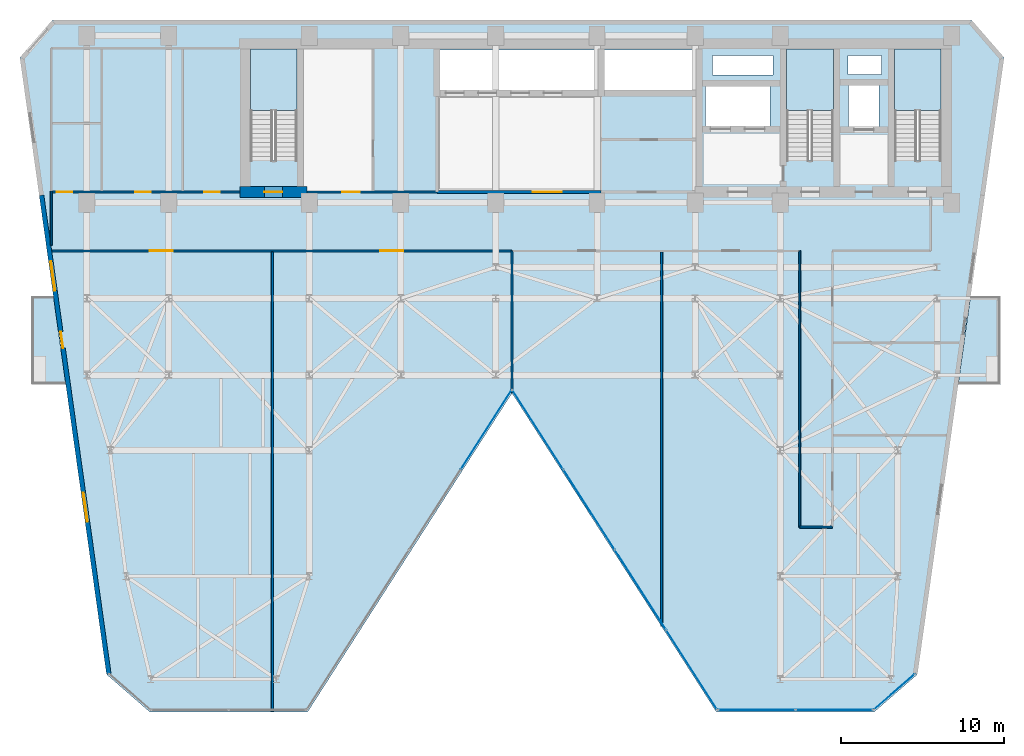
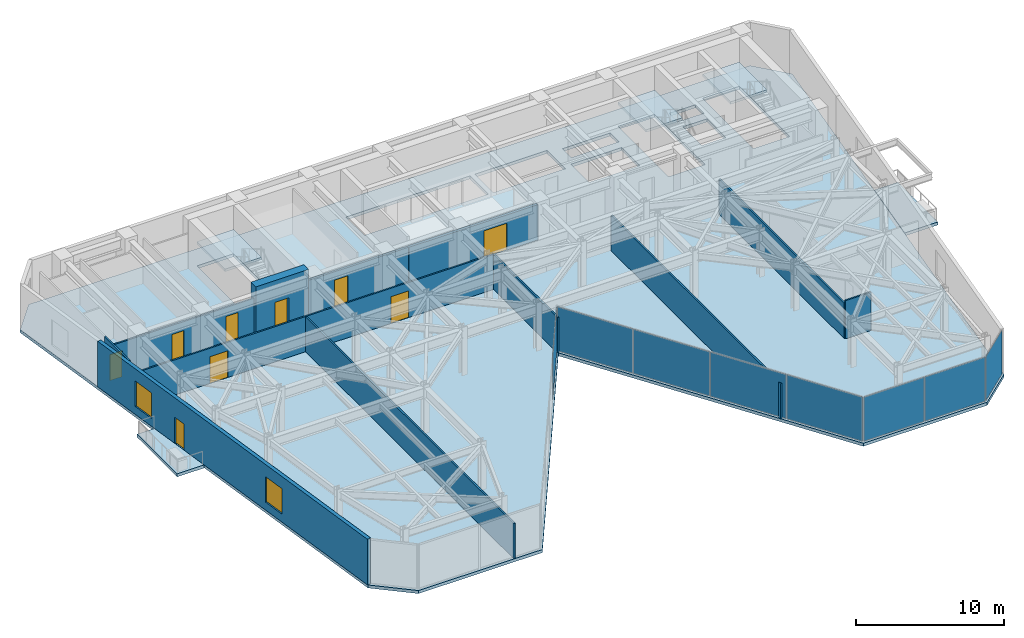
# One storey, part 15 of 20: 12 walls, 9 doors, 8 plates, 6 slabs, 2 windows, 11 openings, 7 elements without a shape of their own.
"""IFC4 building model written with IfcOpenShell, lengths in metres."""

from ifc_helpers import new_model, si_unit, direction, frame, frame_2d, origin, origin_2d, place, context, subcontext, project, spatial, polyline, rectangle, outline, extrude, material, layer, layer_set, type_object, element, fill, aggregate, save


model = new_model("IFC4")

# Units and contexts
model_context = context("Model", 3, precision=1e-05, world=origin(), true_north=direction((0.0, 1.0)))
body_context = subcontext(model_context, "Body", "Model", "MODEL_VIEW")
ifc_project = project(units=[si_unit("LENGTHUNIT", "METRE"), si_unit("AREAUNIT", "SQUARE_METRE"), si_unit("VOLUMEUNIT", "CUBIC_METRE"), si_unit("PLANEANGLEUNIT", "RADIAN"), si_unit("MASSUNIT", "GRAM", prefix="KILO")], contexts=[model_context])

# Site, building, storey
site_placement = place(None, origin())
site = spatial("IfcSite", under=ifc_project, at=site_placement, CompositionType="ELEMENT")
building_placement = place(site_placement, origin())
building = spatial("IfcBuilding", under=site, at=building_placement, Name="Kravanh Interchange Tower", CompositionType="ELEMENT")
storey_placement = place(building_placement, frame((0.0, 0.0, 104.0)))
storey = spatial("IfcBuildingStorey", under=building, at=storey_placement, Name="L24", CompositionType="ELEMENT", Elevation=104.0)

# Slab
ifc_material_1 = material(Name="Concrete C50/60", Category="concrete")
ifc_layer_1 = layer(ifc_material_1, 0.25)
ifc_layer_set_1 = layer_set([ifc_layer_1], Name="Composite Floor Slab Concrete C50/60 250mm")
slab_type_1 = type_object("IfcSlabType", Name="Composite Floor Slab Concrete C50/60 250mm", PredefinedType="FLOOR", material=ifc_layer_set_1)
slab_1_placement = place(storey_placement, frame((0.0, 0.0, -0.25)))
element("IfcSlab", 1, at=slab_1_placement, inside=storey, type_object=slab_type_1, Name="L24 Structural Floor Slab", PredefinedType="FLOOR", context=body_context, shape_type="SweptSolid", body=[
    extrude(outline(polyline([(14.82470703125, 8.4775390625), (17.44482421875, 6.199951171875), (27.10009765625, 6.199951171875), (39.60009765625, 25.699951171875), (52.10009765625, 6.199951171875), (61.755126953125, 6.199951171875), (64.375244140625, 8.4775390625), (69.679931640625, 46.222412109375), (67.699951171875, 48.5), (11.5, 48.5), (9.52001953125, 46.222412109375), (14.82470703125, 8.4775390625)]), holes=[polyline([(65.85009765625, 39.925048828125), (65.85009765625, 46.75), (63.0, 46.75), (63.0, 39.925048828125), (65.85009765625, 39.925048828125)]), polyline([(59.25, 39.925048828125), (59.25, 46.75), (56.39990234375, 46.75), (56.39990234375, 39.925048828125), (59.25, 39.925048828125)]), polyline([(26.449951171875, 39.925048828125), (26.449951171875, 46.75), (23.60009765625, 46.75), (23.60009765625, 39.925048828125), (26.449951171875, 39.925048828125)]), polyline([(35.179931640625, 44.219970703125), (44.840087890625, 44.219970703125), (44.840087890625, 46.699951171875), (35.179931640625, 46.699951171875), (35.179931640625, 44.219970703125)]), polyline([(45.239990234375, 44.219970703125), (50.840087890625, 44.219970703125), (50.840087890625, 46.699951171875), (45.239990234375, 46.699951171875), (45.239990234375, 44.219970703125)]), polyline([(51.419921875, 42.02001953125), (55.3798828125, 42.02001953125), (55.3798828125, 44.47998046875), (51.419921875, 44.47998046875), (51.419921875, 42.02001953125)]), polyline([(60.179931640625, 41.97998046875), (62.06005859375, 41.97998046875), (62.06005859375, 44.52001953125), (60.179931640625, 44.52001953125), (60.179931640625, 41.97998046875)]), polyline([(60.14990234375, 45.199951171875), (62.199951171875, 45.199951171875), (62.199951171875, 46.35009765625), (60.14990234375, 46.35009765625), (60.14990234375, 45.199951171875)]), polyline([(51.85009765625, 45.14990234375), (55.550048828125, 45.14990234375), (55.550048828125, 46.35009765625), (51.85009765625, 46.35009765625), (51.85009765625, 45.14990234375)])]), origin(), (0.0, 0.0, 1.0), 0.25),
])

# Stair, slab
ifc_material_2 = material(Name="Concrete C50/60", Category="concrete")
stair_type = type_object("IfcStairType", Name="Core Fire Exit Dogleg Stair Concrete C50/60", PredefinedType="HALF_TURN_STAIR", material=ifc_material_2)
stair_1_placement = place(storey_placement, origin())
stair_1 = element("IfcStair", 2, at=stair_1_placement, inside=storey, type_object=stair_type, Name="L24 Exit Stair ST1", PredefinedType="HALF_TURN_STAIR")
ifc_material_3 = material(Name="Concrete C50/60", Category="concrete")
ifc_layer_2 = layer(ifc_material_3, 0.199951171875)
ifc_layer_set_2 = layer_set([ifc_layer_2], Name="Concrete C50/60 Stair Half-Landing Slab 200mm")
slab_type_2 = type_object("IfcSlabType", Name="Concrete C50/60 Stair Half-Landing Slab 200mm", PredefinedType="LANDING", material=ifc_layer_set_2)
slab_2_placement = place(storey_placement, frame((0.0, 0.0, 1.800048828125)))
slab_2 = element("IfcSlab", 3, at=slab_2_placement, type_object=slab_type_2, Name="ST1 landing 1", PredefinedType="LANDING", context=body_context, shape_type="SweptSolid", body=[
    extrude(outline(polyline([(65.85009765625, 42.97998046875), (65.85009765625, 46.75), (63.0, 46.75), (63.0, 42.97998046875), (65.85009765625, 42.97998046875)])), origin(), (0.0, 0.0, 1.0), 0.199951171875),
])
aggregate(stair_1, [slab_2])

stair_2_placement = place(storey_placement, origin())
stair_2 = element("IfcStair", 4, at=stair_2_placement, inside=storey, type_object=stair_type, Name="L24 Exit Stair ST2", PredefinedType="HALF_TURN_STAIR")
slab_3_placement = place(storey_placement, frame((0.0, 0.0, 1.800048828125)))
slab_3 = element("IfcSlab", 5, at=slab_3_placement, type_object=slab_type_2, Name="ST2 landing 1", PredefinedType="LANDING", context=body_context, shape_type="SweptSolid", body=[
    extrude(outline(polyline([(59.25, 42.97998046875), (59.25, 46.75), (56.39990234375, 46.75), (56.39990234375, 42.97998046875), (59.25, 42.97998046875)])), origin(), (0.0, 0.0, 1.0), 0.199951171875),
])
aggregate(stair_2, [slab_3])

stair_3_placement = place(storey_placement, origin())
stair_3 = element("IfcStair", 6, at=stair_3_placement, inside=storey, type_object=stair_type, Name="L24 Exit Stair ST3", PredefinedType="HALF_TURN_STAIR")
slab_4_placement = place(storey_placement, frame((0.0, 0.0, 1.800048828125)))
slab_4 = element("IfcSlab", 7, at=slab_4_placement, type_object=slab_type_2, Name="ST3 landing 1", PredefinedType="LANDING", context=body_context, shape_type="SweptSolid", body=[
    extrude(outline(polyline([(26.449951171875, 42.97998046875), (26.449951171875, 46.75), (23.60009765625, 46.75), (23.60009765625, 42.97998046875), (26.449951171875, 42.97998046875)])), origin(), (0.0, 0.0, 1.0), 0.199951171875),
])
aggregate(stair_3, [slab_4])

# Slabs
ifc_material_4 = material(Name="Concrete C50/60", Category="concrete")
ifc_layer_3 = layer(ifc_material_4, 0.199951171875)
ifc_layer_set_3 = layer_set([ifc_layer_3], Name="Planted Tree Balcony Slab Concrete C50/60 200mm")
slab_type_3 = type_object("IfcSlabType", Name="Planted Tree Balcony Slab Concrete C50/60 200mm", PredefinedType="USERDEFINED", material=ifc_layer_set_3)
slab_5_placement = place(storey_placement, frame((0.0, 0.0, -0.25)))
element("IfcSlab", 8, at=slab_5_placement, inside=storey, type_object=slab_type_3, Name="L24 East Tree Planter Balcony Slab", ObjectType="BALCONY", PredefinedType="USERDEFINED", context=body_context, shape_type="SweptSolid", body=[
    extrude(outline(polyline([(69.47900390625, 31.6298828125), (69.47900390625, 26.22998046875), (66.88525390625, 26.22998046875), (67.644287109375, 31.6298828125), (69.47900390625, 31.6298828125)])), origin(), (0.0, 0.0, 1.0), 0.25),
])
slab_6_placement = place(storey_placement, frame((0.0, 0.0, -0.25)))
element("IfcSlab", 9, at=slab_6_placement, inside=storey, type_object=slab_type_3, Name="L24 West Tree Planter Balcony Slab", ObjectType="BALCONY", PredefinedType="USERDEFINED", context=body_context, shape_type="SweptSolid", body=[
    extrude(outline(polyline([(10.2099609375, 26.22998046875), (10.2099609375, 31.6298828125), (11.555908203125, 31.6298828125), (12.314697265625, 26.22998046875), (10.2099609375, 26.22998046875)])), origin(), (0.0, 0.0, 1.0), 0.25),
])

# Curtain wall, plate
ifc_material_5 = material(Name="Anodised Bronze Aluminium", Category="aluminium")
ifc_layer_4 = layer(ifc_material_5, 0.179931640625)
ifc_layer_set_4 = layer_set([ifc_layer_4], Name="Unitised Curtain Wall System CW-Z2 Mid Office")
curtain_wall_type = type_object("IfcCurtainWallType", Name="Unitised Curtain Wall System CW-Z2 Mid Office", PredefinedType="NOTDEFINED", material=ifc_layer_set_4)
curtain_wall_1_placement = place(storey_placement, origin())
curtain_wall_1 = element("IfcCurtainWall", 10, at=curtain_wall_1_placement, inside=storey, type_object=curtain_wall_type, Name="L24 Unitised Curtain Wall CW-L24-01", PredefinedType="NOTDEFINED")
ifc_material_6 = material(Name="Low-E Laminated Architectural Glass", Category="glass")
ifc_layer_5 = layer(ifc_material_6, 0.02587890625)
ifc_layer_set_5 = layer_set([ifc_layer_5], Name="Solar-Control Double Glazing 26mm")
plate_type = type_object("IfcPlateType", Name="Solar-Control Double Glazing 26mm", PredefinedType="CURTAIN_PANEL", material=ifc_layer_set_5)
plate_1_placement = place(storey_placement, frame((62.986328125, 7.429443359375, 0.06005859375), z_axis=(0.0, 0.0, 1.0), x_axis=(-0.754719458103, -0.656047665617, 0.0)))
plate_1 = element("IfcPlate", 11, at=plate_1_placement, type_object=plate_type, Name="CW-Z2 panel 1.1", PredefinedType="CURTAIN_PANEL", context=body_context, shape_type="SweptSolid", body=[
    extrude(rectangle(XDim=3.261962890625, YDim=0.02587890625, at=origin_2d()), origin(), (0.0, 0.0, 1.0), 3.6298828125),
])
aggregate(curtain_wall_1, [plate_1])

# Curtain wall, plates
curtain_wall_2_placement = place(storey_placement, origin())
curtain_wall_2 = element("IfcCurtainWall", 12, at=curtain_wall_2_placement, inside=storey, type_object=curtain_wall_type, Name="L24 Unitised Curtain Wall CW-L24-02", PredefinedType="NOTDEFINED")
plate_2_placement = place(storey_placement, frame((59.30908203125, 6.320068359375, 0.06005859375), z_axis=(0.0, 0.0, 1.0), x_axis=(-1.0, 0.0, 0.0)))
plate_2 = element("IfcPlate", 13, at=plate_2_placement, type_object=plate_type, Name="CW-Z2 panel 1.1", PredefinedType="CURTAIN_PANEL", context=body_context, shape_type="SweptSolid", body=[
    extrude(rectangle(XDim=4.682373046875, YDim=0.02587890625, at=origin_2d()), origin(), (0.0, 0.0, 1.0), 3.6298828125),
])
plate_3_placement = place(storey_placement, frame((54.566650390625, 6.320068359375, 0.06005859375), z_axis=(0.0, 0.0, 1.0), x_axis=(-1.0, 0.0, 0.0)))
plate_3 = element("IfcPlate", 14, at=plate_3_placement, type_object=plate_type, Name="CW-Z2 panel 2.1", PredefinedType="CURTAIN_PANEL", context=body_context, shape_type="SweptSolid", body=[
    extrude(rectangle(XDim=4.682373046875, YDim=0.02587890625, at=origin_2d()), origin(), (0.0, 0.0, 1.0), 3.6298828125),
])
aggregate(curtain_wall_2, [plate_2, plate_3])

curtain_wall_3_placement = place(storey_placement, origin())
curtain_wall_3 = element("IfcCurtainWall", 15, at=curtain_wall_3_placement, inside=storey, type_object=curtain_wall_type, Name="L24 Unitised Curtain Wall CW-L24-03", PredefinedType="NOTDEFINED")
plate_4_placement = place(storey_placement, frame((50.5869140625, 8.782958984375, 0.06005859375), z_axis=(0.0, 0.0, 1.0), x_axis=(-0.539664865919, 0.841879939476, 0.0)))
plate_4 = element("IfcPlate", 16, at=plate_4_placement, type_object=plate_type, Name="CW-Z2 panel 1.1", PredefinedType="CURTAIN_PANEL", context=body_context, shape_type="SweptSolid", body=[
    extrude(rectangle(XDim=5.73095703125, YDim=0.02587890625, at=origin_2d()), origin(), (0.0, 0.0, 1.0), 3.6298828125),
])
plate_5_placement = place(storey_placement, frame((47.45361328125, 13.6708984375, 0.06005859375), z_axis=(0.0, 0.0, 1.0), x_axis=(-0.539664865919, 0.841879939476, 0.0)))
plate_5 = element("IfcPlate", 17, at=plate_5_placement, type_object=plate_type, Name="CW-Z2 panel 2.1", PredefinedType="CURTAIN_PANEL", context=body_context, shape_type="SweptSolid", body=[
    extrude(rectangle(XDim=5.760986328125, YDim=0.02587890625, at=origin_2d()), origin(), (0.0, 0.0, 1.0), 3.6298828125),
])
plate_6_placement = place(storey_placement, frame((44.31201171875, 18.571533203125, 0.06005859375), z_axis=(0.0, 0.0, 1.0), x_axis=(-0.539664865919, 0.841879939476, 0.0)))
plate_6 = element("IfcPlate", 18, at=plate_6_placement, type_object=plate_type, Name="CW-Z2 panel 3.1", PredefinedType="CURTAIN_PANEL", context=body_context, shape_type="SweptSolid", body=[
    extrude(rectangle(XDim=5.760986328125, YDim=0.02587890625, at=origin_2d()), origin(), (0.0, 0.0, 1.0), 3.6298828125),
])
plate_7_placement = place(storey_placement, frame((41.1787109375, 23.45947265625, 0.06005859375), z_axis=(0.0, 0.0, 1.0), x_axis=(-0.539664865919, 0.841879939476, 0.0)))
plate_7 = element("IfcPlate", 19, at=plate_7_placement, type_object=plate_type, Name="CW-Z2 panel 4.1", PredefinedType="CURTAIN_PANEL", context=body_context, shape_type="SweptSolid", body=[
    extrude(rectangle(XDim=5.73095703125, YDim=0.02587890625, at=origin_2d()), origin(), (0.0, 0.0, 1.0), 3.6298828125),
])
aggregate(curtain_wall_3, [plate_4, plate_5, plate_6, plate_7])

# Curtain wall, plate
curtain_wall_4_placement = place(storey_placement, origin())
curtain_wall_4 = element("IfcCurtainWall", 20, at=curtain_wall_4_placement, inside=storey, type_object=curtain_wall_type, Name="L24 Unitised Curtain Wall CW-L24-04", PredefinedType="NOTDEFINED")
plate_8_placement = place(storey_placement, frame((38.021240234375, 23.45947265625, 0.06005859375), z_axis=(0.0, 0.0, 1.0), x_axis=(-0.539664865919, -0.841879939476, 0.0)))
plate_8 = element("IfcPlate", 21, at=plate_8_placement, type_object=plate_type, Name="CW-Z2 panel 1.1", PredefinedType="CURTAIN_PANEL", context=body_context, shape_type="SweptSolid", body=[
    extrude(rectangle(XDim=5.73095703125, YDim=0.02587890625, at=origin_2d()), origin(), (0.0, 0.0, 1.0), 3.6298828125),
])
aggregate(curtain_wall_4, [plate_8])

# Wall, openings, doors
ifc_material_7 = material(Name="Double Acoustic Gypsum Board and Mineral Wool")
ifc_layer_6 = layer(ifc_material_7, 0.1201171875)
ifc_layer_set_6 = layer_set([ifc_layer_6], Name="Acoustic Office Drywall Partition 120mm")
wall_type_1 = type_object("IfcWallType", Name="Acoustic Office Drywall Partition 120mm", PredefinedType="PARTITIONING", material=ifc_layer_set_6)
wall_1_placement = place(storey_placement, frame((11.419921875, 38.0, 0.0), z_axis=(0.0, 0.0, 1.0), x_axis=(1.0, 0.0, 0.0)))
wall_1 = element("IfcWall", 22, at=wall_1_placement, inside=storey, type_object=wall_type_1, Name="L24 Restroom Corridor Wall 7", PredefinedType="PARTITIONING", context=body_context, shape_type="SweptSolid", body=[
    extrude(rectangle(XDim=11.530029296875, YDim=0.1201171875, at=frame_2d((5.76513671875, 0.0))), origin(), (0.0, 0.0, 1.0), 2.89404296875),
])
opening_1_placement = place(wall_1_placement, frame((0.3427734375, 0.0, 0.0)))
opening_1 = element("IfcOpeningElement", 23, at=opening_1_placement, cuts=wall_1, Name="Opening D-95", PredefinedType="OPENING", context=body_context, shape_type="SweptSolid", body=[
    extrude(rectangle(XDim=0.949951171875, YDim=2.14990234375, at=frame_2d((0.47509765625, 1.074951171875))), frame((0.0, 0.070068359375, 0.0), z_axis=(0.0, -1.0, 0.0), x_axis=(1.0, 0.0, 0.0)), (0.0, 0.0, 1.0), 0.14013671875),
])
opening_2_placement = place(wall_1_placement, frame((5.130126953125, 0.0, 0.0)))
opening_2 = element("IfcOpeningElement", 24, at=opening_2_placement, cuts=wall_1, Name="Opening D-95", PredefinedType="OPENING", context=body_context, shape_type="SweptSolid", body=[
    extrude(rectangle(XDim=0.949951171875, YDim=2.14990234375, at=frame_2d((0.47509765625, 1.074951171875))), frame((0.0, 0.070068359375, 0.0), z_axis=(0.0, -1.0, 0.0), x_axis=(1.0, 0.0, 0.0)), (0.0, 0.0, 1.0), 0.14013671875),
])
opening_3_placement = place(wall_1_placement, frame((9.344970703125, 0.0, 0.0)))
opening_3 = element("IfcOpeningElement", 25, at=opening_3_placement, cuts=wall_1, Name="Opening D-95", PredefinedType="OPENING", context=body_context, shape_type="SweptSolid", body=[
    extrude(rectangle(XDim=0.949951171875, YDim=2.14990234375, at=frame_2d((0.47509765625, 1.074951171875))), frame((0.0, 0.070068359375, 0.0), z_axis=(0.0, -1.0, 0.0), x_axis=(1.0, 0.0, 0.0)), (0.0, 0.0, 1.0), 0.14013671875),
])
ifc_material_8 = material(Name="Laminate Solid-Core Timber", Category="wood")
door_type_1 = type_object("IfcDoorType", Name="Accessible Restroom Door 950x2150", OperationType="NOTDEFINED", PredefinedType="DOOR", material=ifc_material_8)
door_1_placement = place(opening_1_placement, origin())
door_1 = element("IfcDoor", 26, at=door_1_placement, inside=storey, type_object=door_type_1, Name="L24 Accessible WC Door", OperationType="SINGLE_SWING_RIGHT", OverallHeight=2.14990234375, OverallWidth=0.949951171875, PredefinedType="DOOR", context=body_context, shape_type="SweptSolid", body=[
    extrude(rectangle(XDim=0.949951171875, YDim=2.14990234375, at=frame_2d((0.47509765625, 1.074951171875))), frame((0.0, 0.02490234375, 0.0), z_axis=(0.0, -1.0, 0.0), x_axis=(1.0, 0.0, 0.0)), (0.0, 0.0, 1.0), 0.050048828125),
])
fill(opening_1, door_1)
door_2_placement = place(opening_2_placement, origin())
door_2 = element("IfcDoor", 27, at=door_2_placement, inside=storey, type_object=door_type_1, Name="L24 Female WC Door", OperationType="SINGLE_SWING_LEFT", OverallHeight=2.14990234375, OverallWidth=0.949951171875, PredefinedType="DOOR", context=body_context, shape_type="SweptSolid", body=[
    extrude(rectangle(XDim=0.949951171875, YDim=2.14990234375, at=frame_2d((0.47509765625, 1.074951171875))), frame((0.0, 0.02490234375, 0.0), z_axis=(0.0, -1.0, 0.0), x_axis=(1.0, 0.0, 0.0)), (0.0, 0.0, 1.0), 0.050048828125),
])
fill(opening_2, door_2)
door_3_placement = place(opening_3_placement, origin())
door_3 = element("IfcDoor", 28, at=door_3_placement, inside=storey, type_object=door_type_1, Name="L24 Male WC Door", OperationType="SINGLE_SWING_RIGHT", OverallHeight=2.14990234375, OverallWidth=0.949951171875, PredefinedType="DOOR", context=body_context, shape_type="SweptSolid", body=[
    extrude(rectangle(XDim=0.949951171875, YDim=2.14990234375, at=frame_2d((0.47509765625, 1.074951171875))), frame((0.0, 0.02490234375, 0.0), z_axis=(0.0, -1.0, 0.0), x_axis=(1.0, 0.0, 0.0)), (0.0, 0.0, 1.0), 0.050048828125),
])
fill(opening_3, door_3)

wall_2_placement = place(storey_placement, frame((11.469482421875, 34.39990234375, 0.0), z_axis=(0.0, 0.0, 1.0), x_axis=(1.0, 0.0, 0.0)))
wall_2 = element("IfcWall", 29, at=wall_2_placement, inside=storey, type_object=wall_type_1, Name="L24 Interior Partition 13", PredefinedType="PARTITIONING", context=body_context, shape_type="SweptSolid", body=[
    extrude(rectangle(XDim=28.130615234375, YDim=0.1201171875, at=frame_2d((14.0654296875, 0.0))), origin(), (0.0, 0.0, 1.0), 2.89404296875),
])
opening_4_placement = place(wall_2_placement, frame((5.975341796875, 0.0, 0.0)))
opening_4 = element("IfcOpeningElement", 30, at=opening_4_placement, cuts=wall_2, Name="Opening DBL-140", PredefinedType="OPENING", context=body_context, shape_type="SweptSolid", body=[
    extrude(rectangle(XDim=1.39990234375, YDim=2.199951171875, at=frame_2d((0.699951171875, 1.10009765625))), frame((0.0, 0.070068359375, 0.0), z_axis=(0.0, -1.0, 0.0), x_axis=(1.0, 0.0, 0.0)), (0.0, 0.0, 1.0), 0.14013671875),
])
opening_5_placement = place(wall_2_placement, frame((20.0654296875, 0.0, 0.0)))
opening_5 = element("IfcOpeningElement", 31, at=opening_5_placement, cuts=wall_2, Name="Opening DBL-140", PredefinedType="OPENING", context=body_context, shape_type="SweptSolid", body=[
    extrude(rectangle(XDim=1.39990234375, YDim=2.199951171875, at=frame_2d((0.699951171875, 1.10009765625))), frame((0.0, 0.070068359375, 0.0), z_axis=(0.0, -1.0, 0.0), x_axis=(1.0, 0.0, 0.0)), (0.0, 0.0, 1.0), 0.14013671875),
])
ifc_material_9 = material(Name="Acoustic Bronze-Framed Glass", Category="glass")
door_type_2 = type_object("IfcDoorType", Name="Hospitality Lounge Double Door 1400x2200", OperationType="DOUBLE_DOOR_SINGLE_SWING", PredefinedType="DOOR", material=ifc_material_9)
door_4_placement = place(opening_4_placement, origin())
door_4 = element("IfcDoor", 32, at=door_4_placement, inside=storey, type_object=door_type_2, Name="L24 West Seminar Meeting Hall Door", OperationType="DOUBLE_DOOR_SINGLE_SWING", OverallHeight=2.199951171875, OverallWidth=1.39990234375, PredefinedType="DOOR", context=body_context, shape_type="SweptSolid", body=[
    extrude(rectangle(XDim=1.39990234375, YDim=2.199951171875, at=frame_2d((0.699951171875, 1.10009765625))), frame((0.0, 0.02490234375, 0.0), z_axis=(0.0, -1.0, 0.0), x_axis=(1.0, 0.0, 0.0)), (0.0, 0.0, 1.0), 0.050048828125),
])
fill(opening_4, door_4)
door_5_placement = place(opening_5_placement, origin())
door_5 = element("IfcDoor", 33, at=door_5_placement, inside=storey, type_object=door_type_2, Name="L24 Caucus Meeting Room A Door", OperationType="DOUBLE_DOOR_SINGLE_SWING", OverallHeight=2.199951171875, OverallWidth=1.39990234375, PredefinedType="DOOR", context=body_context, shape_type="SweptSolid", body=[
    extrude(rectangle(XDim=1.39990234375, YDim=2.199951171875, at=frame_2d((0.699951171875, 1.10009765625))), frame((0.0, 0.02490234375, 0.0), z_axis=(0.0, -1.0, 0.0), x_axis=(1.0, 0.0, 0.0)), (0.0, 0.0, 1.0), 0.050048828125),
])
fill(opening_5, door_5)

# Walls
wall_3_placement = place(storey_placement, frame((11.419921875, 34.751953125, 0.0), z_axis=(0.0, 0.0, 1.0), x_axis=(0.0, 1.0, 0.0)))
element("IfcWall", 34, at=wall_3_placement, inside=storey, type_object=wall_type_1, Name="L24 Interior Partition 16", PredefinedType="PARTITIONING", context=body_context, shape_type="SweptSolid", body=[
    extrude(rectangle(XDim=3.298095703125, YDim=0.1201171875, at=frame_2d((1.64892578125, 0.0))), origin(), (0.0, 0.0, 1.0), 3.75),
])
wall_4_placement = place(storey_placement, frame((57.199951171875, 17.5, 0.0), z_axis=(0.0, 0.0, 1.0), x_axis=(0.0, 1.0, 0.0)))
element("IfcWall", 35, at=wall_4_placement, inside=storey, type_object=wall_type_1, Name="L24 Interior Partition 18", PredefinedType="PARTITIONING", context=body_context, shape_type="SweptSolid", body=[
    extrude(rectangle(XDim=16.89990234375, YDim=0.1201171875, at=frame_2d((8.449951171875, 0.0))), origin(), (0.0, 0.0, 1.0), 2.89404296875),
])
wall_5_placement = place(storey_placement, frame((57.199951171875, 17.5, 0.0), z_axis=(0.0, 0.0, 1.0), x_axis=(1.0, 0.0, 0.0)))
element("IfcWall", 36, at=wall_5_placement, inside=storey, type_object=wall_type_1, Name="L24 Interior Partition 20", PredefinedType="PARTITIONING", context=body_context, shape_type="SweptSolid", body=[
    extrude(rectangle(XDim=2.0, YDim=0.1201171875, at=frame_2d((1.0, 0.0))), origin(), (0.0, 0.0, 1.0), 3.14208984375),
])
wall_6_placement = place(storey_placement, frame((39.60009765625, 25.727783203125, 0.0), z_axis=(0.0, 0.0, 1.0), x_axis=(0.0, 1.0, 0.0)))
element("IfcWall", 37, at=wall_6_placement, inside=storey, type_object=wall_type_1, Name="L24 Interior Partition 23", PredefinedType="PARTITIONING", context=body_context, shape_type="SweptSolid", body=[
    extrude(rectangle(XDim=8.672119140625, YDim=0.1201171875, at=frame_2d((4.3359375, 0.0))), origin(), (0.0, 0.0, 1.0), 2.89404296875),
])
wall_7_placement = place(storey_placement, frame((24.949951171875, 6.215087890625, 0.0), z_axis=(0.0, 0.0, 1.0), x_axis=(0.0, 1.0, 0.0)))
element("IfcWall", 38, at=wall_7_placement, inside=storey, type_object=wall_type_1, Name="L24 Interior Partition 24", PredefinedType="PARTITIONING", context=body_context, shape_type="SweptSolid", body=[
    extrude(rectangle(XDim=28.116943359375, YDim=0.1201171875, at=frame_2d((14.05859375, 0.0))), origin(), (0.0, 0.0, 1.0), 2.89404296875),
])
wall_8_placement = place(storey_placement, frame((48.75, 11.453857421875, 0.0), z_axis=(0.0, 0.0, 1.0), x_axis=(0.0, 1.0, 0.0)))
element("IfcWall", 39, at=wall_8_placement, inside=storey, type_object=wall_type_1, Name="L24 Interior Partition 25", PredefinedType="PARTITIONING", context=body_context, shape_type="SweptSolid", body=[
    extrude(rectangle(XDim=22.878173828125, YDim=0.1201171875, at=frame_2d((11.43896484375, 0.0))), origin(), (0.0, 0.0, 1.0), 2.89404296875),
])

# Wall, opening, door
ifc_material_10 = material(Name="Concrete C70/85", Category="concrete")
ifc_layer_7 = layer(ifc_material_10, 0.64990234375)
ifc_layer_set_7 = layer_set([ifc_layer_7], Name="Core Shear Wall Concrete C70/85 650mm")
wall_type_2 = type_object("IfcWallType", Name="Core Shear Wall Concrete C70/85 650mm", PredefinedType="SHEAR", material=ifc_layer_set_7)
wall_9_placement = place(storey_placement, frame((22.949951171875, 38.0, 0.0), z_axis=(0.0, 0.0, 1.0), x_axis=(1.0, 0.0, 0.0)))
wall_9 = element("IfcWall", 40, at=wall_9_placement, inside=storey, type_object=wall_type_2, Name="L24 Stair ST3 South Shear Wall", PredefinedType="SHEAR", context=body_context, shape_type="SweptSolid", body=[
    extrude(rectangle(XDim=4.10009765625, YDim=0.64990234375, at=frame_2d((2.050048828125, 0.0))), origin(), (0.0, 0.0, 1.0), 4.0),
])
opening_6_placement = place(wall_9_placement, frame((1.5, 0.0, 0.0)))
opening_6 = element("IfcOpeningElement", 41, at=opening_6_placement, cuts=wall_9, Name="Opening D-STAIR-110", PredefinedType="OPENING", context=body_context, shape_type="SweptSolid", body=[
    extrude(rectangle(XDim=1.10009765625, YDim=2.199951171875, at=frame_2d((0.550048828125, 1.10009765625))), frame((0.0, 0.3349609375, 0.0), z_axis=(0.0, -1.0, 0.0), x_axis=(1.0, 0.0, 0.0)), (0.0, 0.0, 1.0), 0.669921875),
])
ifc_material_11 = material(Name="Structural Steel S355", Category="steel")
door_type_3 = type_object("IfcDoorType", Name="Fire-Rated Exit Stair Door 1100x2200", OperationType="NOTDEFINED", PredefinedType="DOOR", material=ifc_material_11)
door_6_placement = place(opening_6_placement, origin())
door_6 = element("IfcDoor", 42, at=door_6_placement, inside=storey, type_object=door_type_3, Name="L24 Exit Stair ST3 Door", OperationType="SINGLE_SWING_RIGHT", OverallHeight=2.199951171875, OverallWidth=1.10009765625, PredefinedType="DOOR", context=body_context, shape_type="SweptSolid", body=[
    extrude(rectangle(XDim=1.10009765625, YDim=2.199951171875, at=frame_2d((0.550048828125, 1.10009765625))), frame((0.0, 0.02490234375, 0.0), z_axis=(0.0, -1.0, 0.0), x_axis=(1.0, 0.0, 0.0)), (0.0, 0.0, 1.0), 0.050048828125),
])
fill(opening_6, door_6)

# Wall, openings, door, windows
ifc_material_12 = material(Name="Insulated Precast Concrete C40/50 with Bronze Cladding", Category="concrete")
ifc_layer_8 = layer(ifc_material_12, 0.280029296875)
ifc_layer_set_8 = layer_set([ifc_layer_8], Name="Exterior Insulated Concrete C40/50 Bronze Spandrel Wall 280mm")
wall_type_3 = type_object("IfcWallType", Name="Exterior Insulated Concrete C40/50 Bronze Spandrel Wall 280mm", PredefinedType="STANDARD", material=ifc_layer_set_8)
wall_10_placement = place(storey_placement, frame((14.9375, 8.538818359375, 0.0), z_axis=(0.0, 0.0, 1.0), x_axis=(-0.139178114609, 0.990267364106, 0.0)))
wall_10 = element("IfcWall", 43, at=wall_10_placement, inside=storey, type_object=wall_type_3, Name="L24 Exterior Wall 1", PredefinedType="STANDARD", context=body_context, shape_type="SweptSolid", body=[
    extrude(rectangle(XDim=29.548828125, YDim=0.280029296875, at=frame_2d((14.7744140625, 0.0))), origin(), (0.0, 0.0, 1.0), 3.75),
])
opening_7_placement = place(wall_10_placement, frame((20.1083984375, 0.0, 0.0)))
opening_7 = element("IfcOpeningElement", 44, at=opening_7_placement, cuts=wall_10, Name="Opening ED-BAL100", PredefinedType="OPENING", context=body_context, shape_type="SweptSolid", body=[
    extrude(rectangle(XDim=1.0, YDim=2.14990234375, at=frame_2d((0.5, 1.074951171875))), frame((0.0, 0.14990234375, 0.0), z_axis=(0.0, -1.0, 0.0), x_axis=(1.0, 0.0, 0.0)), (0.0, 0.0, 1.0), 0.300048828125),
])
opening_8_placement = place(wall_10_placement, frame((9.373046875, 0.0, 0.64990234375)))
opening_8 = element("IfcOpeningElement", 45, at=opening_8_placement, cuts=wall_10, Name="Opening WN-180X210", PredefinedType="OPENING", context=body_context, shape_type="SweptSolid", body=[
    extrude(rectangle(XDim=1.800048828125, YDim=2.10009765625, at=frame_2d((0.89990234375, 1.050048828125))), frame((0.0, 0.14990234375, 0.0), z_axis=(0.0, -1.0, 0.0), x_axis=(1.0, 0.0, 0.0)), (0.0, 0.0, 1.0), 0.300048828125),
])
opening_9_placement = place(wall_10_placement, frame((23.65771484375, 0.0, 0.64990234375)))
opening_9 = element("IfcOpeningElement", 46, at=opening_9_placement, cuts=wall_10, Name="Opening WN-180X210", PredefinedType="OPENING", context=body_context, shape_type="SweptSolid", body=[
    extrude(rectangle(XDim=1.800048828125, YDim=2.10009765625, at=frame_2d((0.89990234375, 1.050048828125))), frame((0.0, 0.14990234375, 0.0), z_axis=(0.0, -1.0, 0.0), x_axis=(1.0, 0.0, 0.0)), (0.0, 0.0, 1.0), 0.300048828125),
])
ifc_material_13 = material(Name="Thermally Broken Bronze Aluminium and Laminated Glass", Category="aluminium")
door_type_4 = type_object("IfcDoorType", Name="Balcony Glazed Door 1000x2150", OperationType="NOTDEFINED", PredefinedType="DOOR", material=ifc_material_13)
door_7_placement = place(opening_7_placement, origin())
door_7 = element("IfcDoor", 47, at=door_7_placement, inside=storey, type_object=door_type_4, Name="L24 W Tree Balcony Access Door", OperationType="SINGLE_SWING_RIGHT", OverallHeight=2.14990234375, OverallWidth=1.0, PredefinedType="DOOR", context=body_context, shape_type="SweptSolid", body=[
    extrude(rectangle(XDim=1.0, YDim=2.14990234375, at=frame_2d((0.5, 1.074951171875))), frame((0.0, 0.02490234375, 0.0), z_axis=(0.0, -1.0, 0.0), x_axis=(1.0, 0.0, 0.0)), (0.0, 0.0, 1.0), 0.050048828125),
])
fill(opening_7, door_7)
ifc_material_14 = material(Name="Thermally Broken Bronze Aluminium and Low-E Glass", Category="aluminium")
window_type = type_object("IfcWindowType", Name="Tower Pier Window 1800x2100", PartitioningType="SINGLE_PANEL", PredefinedType="WINDOW", material=ifc_material_14)
window_1_placement = place(opening_8_placement, origin())
window_1 = element("IfcWindow", 48, at=window_1_placement, inside=storey, type_object=window_type, Name="L24 Facade Window 1A", OverallHeight=2.10009765625, OverallWidth=1.800048828125, PartitioningType="SINGLE_PANEL", PredefinedType="WINDOW", context=body_context, shape_type="SweptSolid", body=[
    extrude(rectangle(XDim=1.800048828125, YDim=2.10009765625, at=frame_2d((0.89990234375, 1.050048828125))), frame((0.0, 0.030029296875, 0.0), z_axis=(0.0, -1.0, 0.0), x_axis=(1.0, 0.0, 0.0)), (0.0, 0.0, 1.0), 0.06005859375),
])
fill(opening_8, window_1)
window_2_placement = place(opening_9_placement, origin())
window_2 = element("IfcWindow", 49, at=window_2_placement, inside=storey, type_object=window_type, Name="L24 Facade Window 1B", OverallHeight=2.10009765625, OverallWidth=1.800048828125, PartitioningType="SINGLE_PANEL", PredefinedType="WINDOW", context=body_context, shape_type="SweptSolid", body=[
    extrude(rectangle(XDim=1.800048828125, YDim=2.10009765625, at=frame_2d((0.89990234375, 1.050048828125))), frame((0.0, 0.030029296875, 0.0), z_axis=(0.0, -1.0, 0.0), x_axis=(1.0, 0.0, 0.0)), (0.0, 0.0, 1.0), 0.06005859375),
])
fill(opening_9, window_2)

# Wall, opening, door
ifc_material_15 = material(Name="Autoclaved Aerated Concrete C30/37 Blockwork", Category="masonry")
ifc_layer_9 = layer(ifc_material_15, 0.179931640625)
ifc_layer_set_9 = layer_set([ifc_layer_9], Name="Fire-Rated Lobby and Corridor Wall Concrete C30/37 180mm")
wall_type_4 = type_object("IfcWallType", Name="Fire-Rated Lobby and Corridor Wall Concrete C30/37 180mm", PredefinedType="STANDARD", material=ifc_layer_set_9)
wall_11_placement = place(storey_placement, frame((35.0, 38.0, 0.0), z_axis=(0.0, 0.0, 1.0), x_axis=(1.0, 0.0, 0.0)))
wall_11 = element("IfcWall", 50, at=wall_11_placement, inside=storey, type_object=wall_type_4, Name="L24 Interior Partition 6", PredefinedType="STANDARD", context=body_context, shape_type="SweptSolid", body=[
    extrude(rectangle(XDim=10.050048828125, YDim=0.179931640625, at=frame_2d((5.02490234375, 0.0))), origin(), (0.0, 0.0, 1.0), 2.89404296875),
])
opening_10_placement = place(wall_11_placement, frame((5.85791015625, 0.0, 0.0)))
opening_10 = element("IfcOpeningElement", 51, at=opening_10_placement, cuts=wall_11, Name="Opening DBL-180", PredefinedType="OPENING", context=body_context, shape_type="SweptSolid", body=[
    extrude(rectangle(XDim=1.800048828125, YDim=2.199951171875, at=frame_2d((0.89990234375, 1.10009765625))), frame((0.0, 0.10009765625, 0.0), z_axis=(0.0, -1.0, 0.0), x_axis=(1.0, 0.0, 0.0)), (0.0, 0.0, 1.0), 0.199951171875),
])
ifc_material_16 = material(Name="Structural Steel S355", Category="steel")
door_type_5 = type_object("IfcDoorType", Name="Lift Lobby Double Fire Door 1800x2200", OperationType="DOUBLE_DOOR_SINGLE_SWING", PredefinedType="DOOR", material=ifc_material_16)
door_8_placement = place(opening_10_placement, origin())
door_8 = element("IfcDoor", 52, at=door_8_placement, inside=storey, type_object=door_type_5, Name="L24 Mid-Rise Lift Lobby Door", OperationType="DOUBLE_DOOR_SINGLE_SWING", OverallHeight=2.199951171875, OverallWidth=1.800048828125, PredefinedType="DOOR", context=body_context, shape_type="SweptSolid", body=[
    extrude(rectangle(XDim=1.800048828125, YDim=2.199951171875, at=frame_2d((0.89990234375, 1.10009765625))), frame((0.0, 0.02490234375, 0.0), z_axis=(0.0, -1.0, 0.0), x_axis=(1.0, 0.0, 0.0)), (0.0, 0.0, 1.0), 0.050048828125),
])
fill(opening_10, door_8)

ifc_material_17 = material(Name="Twin Stud Acoustic Gypsum Board Wall")
ifc_layer_10 = layer(ifc_material_17, 0.14990234375)
ifc_layer_set_10 = layer_set([ifc_layer_10], Name="Medium-Duty Acoustic Partition 150mm")
wall_type_5 = type_object("IfcWallType", Name="Medium-Duty Acoustic Partition 150mm", PredefinedType="PARTITIONING", material=ifc_layer_set_10)
wall_12_placement = place(storey_placement, frame((27.050048828125, 38.0, 0.0), z_axis=(0.0, 0.0, 1.0), x_axis=(1.0, 0.0, 0.0)))
wall_12 = element("IfcWall", 53, at=wall_12_placement, inside=storey, type_object=wall_type_5, Name="L24 Interior Partition 3", PredefinedType="PARTITIONING", context=body_context, shape_type="SweptSolid", body=[
    extrude(rectangle(XDim=7.949951171875, YDim=0.14990234375, at=frame_2d((3.97509765625, 0.0))), origin(), (0.0, 0.0, 1.0), 2.89404296875),
])
opening_11_placement = place(wall_12_placement, frame((2.175048828125, 0.0, 0.0)))
opening_11 = element("IfcOpeningElement", 54, at=opening_11_placement, cuts=wall_12, Name="Opening D-105", PredefinedType="OPENING", context=body_context, shape_type="SweptSolid", body=[
    extrude(rectangle(XDim=1.050048828125, YDim=2.199951171875, at=frame_2d((0.52490234375, 1.10009765625))), frame((0.0, 0.0849609375, 0.0), z_axis=(0.0, -1.0, 0.0), x_axis=(1.0, 0.0, 0.0)), (0.0, 0.0, 1.0), 0.169921875),
])
ifc_material_18 = material(Name="Acoustic Glazed Oak and Aluminium", Category="aluminium")
door_type_6 = type_object("IfcDoorType", Name="Office Workplace Door 1050x2200", OperationType="NOTDEFINED", PredefinedType="DOOR", material=ifc_material_18)
door_9_placement = place(opening_11_placement, origin())
door_9 = element("IfcDoor", 55, at=door_9_placement, inside=storey, type_object=door_type_6, Name="L24 Reclaimed IT Hub Door", OperationType="SINGLE_SWING_RIGHT", OverallHeight=2.199951171875, OverallWidth=1.050048828125, PredefinedType="DOOR", context=body_context, shape_type="SweptSolid", body=[
    extrude(rectangle(XDim=1.050048828125, YDim=2.199951171875, at=frame_2d((0.52490234375, 1.10009765625))), frame((0.0, 0.02490234375, 0.0), z_axis=(0.0, -1.0, 0.0), x_axis=(1.0, 0.0, 0.0)), (0.0, 0.0, 1.0), 0.050048828125),
])
fill(opening_11, door_9)

save(model, "model.ifc")
